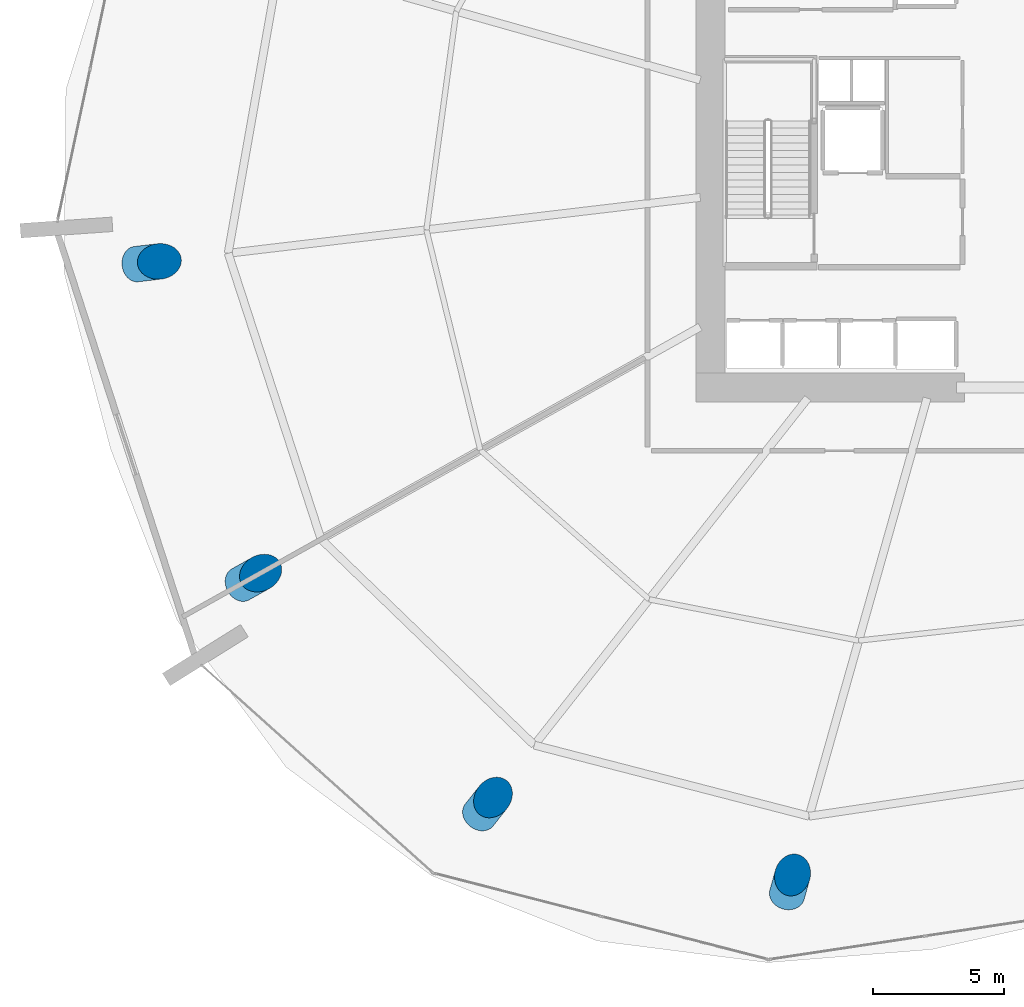
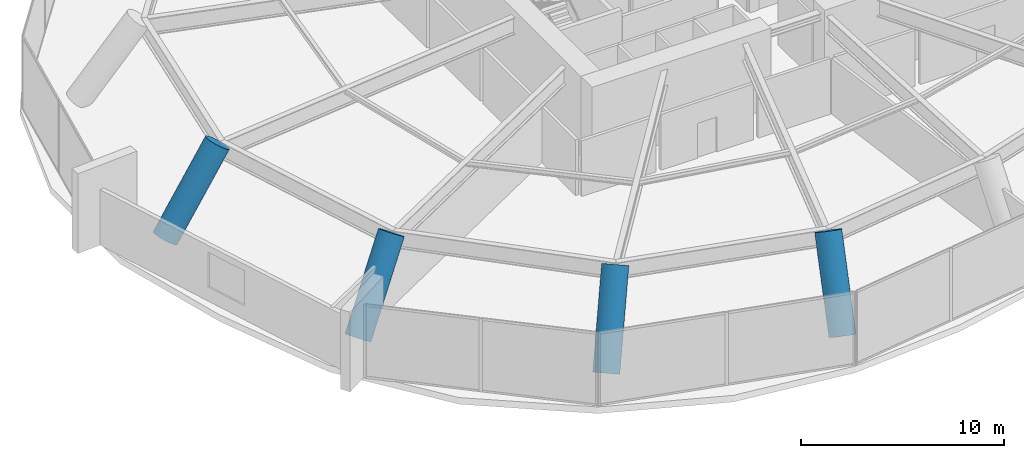
# One storey, part 1 of 21: 4 columns.
"""IFC4 building model written with IfcOpenShell, lengths in metres."""

from ifc_helpers import new_model, si_unit, direction, frame, origin, origin_2d, place, context, subcontext, project, spatial, circle, extrude, material, material_profile, profile_set, type_object, element, save


model = new_model("IFC4")

# Units and contexts
model_context = context("Model", 3, precision=1e-05, world=origin(), true_north=direction((0.0, 1.0)))
body_context = subcontext(model_context, "Body", "Model", "MODEL_VIEW")
ifc_project = project(units=[si_unit("LENGTHUNIT", "METRE"), si_unit("AREAUNIT", "SQUARE_METRE"), si_unit("VOLUMEUNIT", "CUBIC_METRE"), si_unit("PLANEANGLEUNIT", "RADIAN"), si_unit("MASSUNIT", "GRAM", prefix="KILO")], contexts=[model_context])

# Site, building, storey
site_placement = place(None, origin())
site = spatial("IfcSite", under=ifc_project, at=site_placement, CompositionType="ELEMENT")
building_placement = place(site_placement, origin())
building = spatial("IfcBuilding", under=site, at=building_placement, Name="Kazma Halo Residences", CompositionType="ELEMENT")
storey_placement = place(building_placement, frame((0.0, 0.0, 21.60009765625)))
storey = spatial("IfcBuildingStorey", under=building, at=storey_placement, Name="L04", CompositionType="ELEMENT", Elevation=21.60009765625)

# Columns
ifc_material = material(Name="Concrete C80/95", Category="concrete")
ifc_material_profile = material_profile(ifc_material, circle(Radius=0.675048828125, at=origin_2d()), Name="CIRC1350")
ifc_profile_set = profile_set([ifc_material_profile], Name="Concrete C80/95")
column_type = type_object("IfcColumnType", Name="COL-PERIM-1350", PredefinedType="COLUMN", material=ifc_profile_set)
for number, where, z_axis, x_axis, name in (
    (1, (15.410400390625, 38.142822265625, 0.0), (0.586842932978, 0.069427413352, 0.806718790093), (-0.117487290092, 0.993074386271, 0.0), "L04 perimeter ring column P08"),
    (2, (19.3671875, 25.96484375, 0.0), (0.515579191141, 0.288765528915, 0.806717154257), (-0.488656419967, 0.872476305251, 0.0), "L04 perimeter ring column P09"),
):
    element("IfcColumn", number, at=place(storey_placement, frame(where, z_axis=z_axis, x_axis=x_axis)), inside=storey, type_object=column_type, Name=name, PredefinedType="COLUMN", context=body_context, shape_type="SweptSolid", body=[
        extrude(circle(Radius=0.675048828125, at=origin_2d()), origin(), (0.0, 0.0, 1.0), 5.4541015625),
    ])
column_1_placement = place(storey_placement, frame((28.44677734375, 17.19677734375, 0.0), z_axis=(0.356725734072, 0.452505641313, 0.817303734991), x_axis=(-0.785317732316, 0.619092932692, 0.0)))
element("IfcColumn", 3, at=column_1_placement, inside=storey, type_object=column_type, Name="L04 perimeter ring column P10", PredefinedType="COLUMN", context=body_context, shape_type="SweptSolid", body=[
    extrude(circle(Radius=0.675048828125, at=origin_2d()), origin(), (0.0, 0.0, 1.0), 5.383544921875),
])
column_2_placement = place(storey_placement, frame((40.15087890625, 14.168701171875, 0.0), z_axis=(0.147178359761, 0.521954043675, 0.840180044222), x_axis=(-0.96246867816, 0.271392784651, 0.0)))
element("IfcColumn", 4, at=column_2_placement, inside=storey, type_object=column_type, Name="L04 perimeter ring column P11", PredefinedType="COLUMN", context=body_context, shape_type="SweptSolid", body=[
    extrude(circle(Radius=0.675048828125, at=origin_2d()), origin(), (0.0, 0.0, 1.0), 5.23681640625),
])

save(model, "model.ifc")
